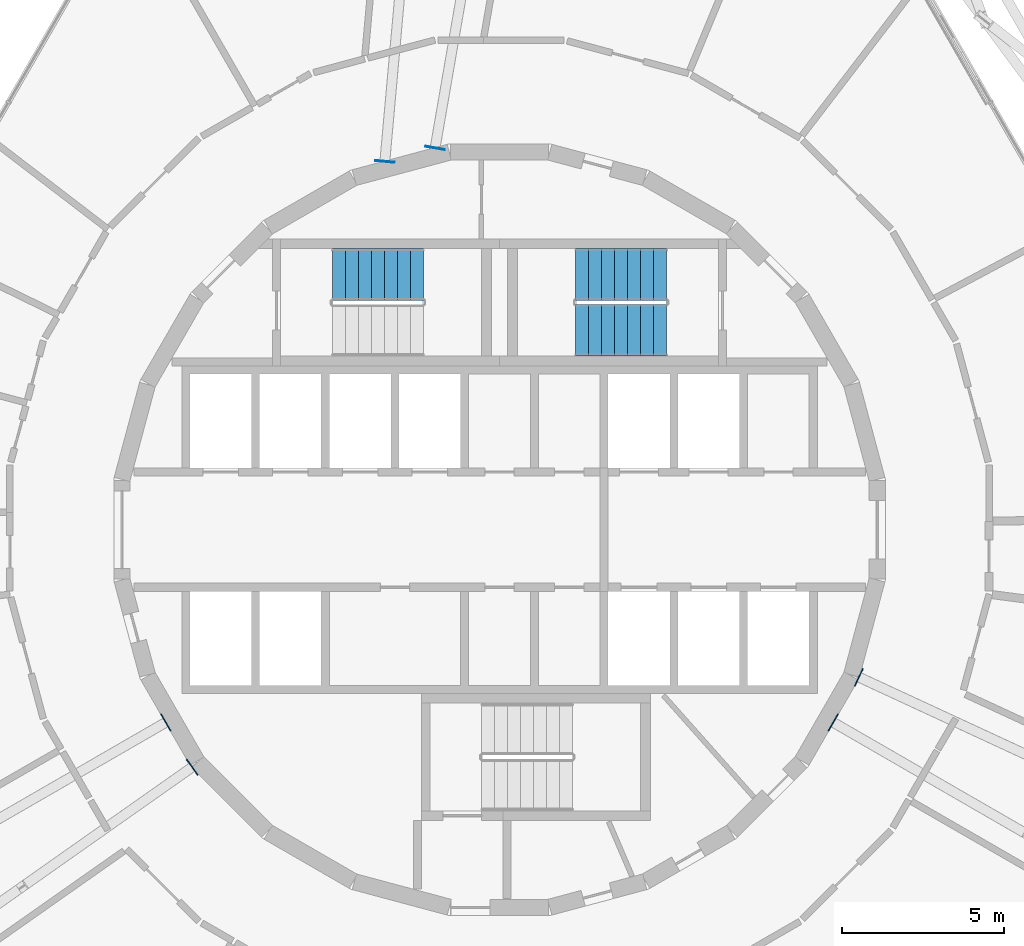
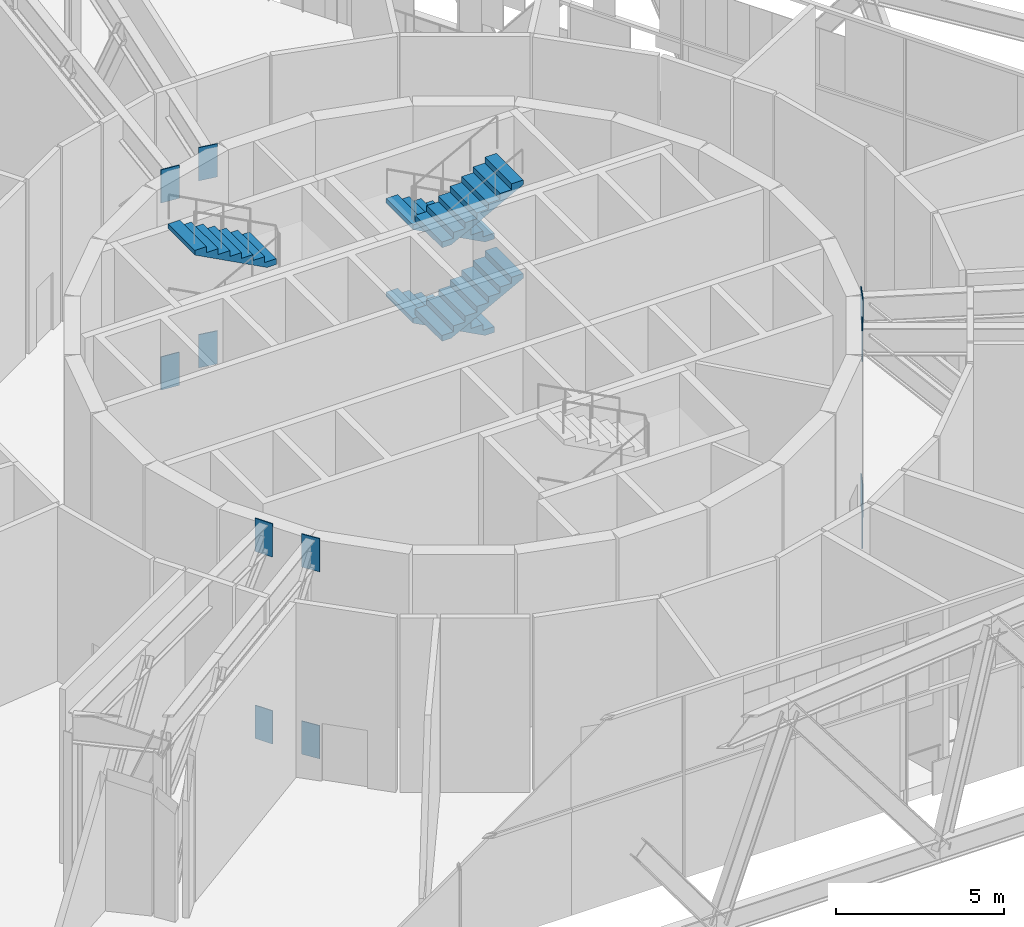
# One storey, part 27 of 29: 12 discrete accessories, 5 stair flights, 2 elements without a shape of their own.
"""IFC4 building model written with IfcOpenShell, lengths in metres."""

from ifc_helpers import new_model, si_unit, direction, frame, origin, origin_2d, place, context, subcontext, project, spatial, polyline, rectangle, outline, extrude, material, layer, layer_set, type_object, element, aggregate, save


model = new_model("IFC4")

# Units and contexts
model_context = context("Model", 3, precision=1e-05, world=origin(), true_north=direction((0.0, 1.0)))
body_context = subcontext(model_context, "Body", "Model", "MODEL_VIEW")
ifc_project = project(units=[si_unit("LENGTHUNIT", "METRE"), si_unit("AREAUNIT", "SQUARE_METRE"), si_unit("VOLUMEUNIT", "CUBIC_METRE"), si_unit("PLANEANGLEUNIT", "RADIAN"), si_unit("MASSUNIT", "GRAM", prefix="KILO")], contexts=[model_context])

# Site, building, storey
site_placement = place(None, origin())
site = spatial("IfcSite", under=ifc_project, at=site_placement, CompositionType="ELEMENT")
building_placement = place(site_placement, origin())
building = spatial("IfcBuilding", under=site, at=building_placement, Name="Spindle Arch Residences", CompositionType="ELEMENT")
storey_placement = place(building_placement, frame((0.0, 0.0, 69.89990234375)))
storey = spatial("IfcBuildingStorey", under=building, at=storey_placement, Name="L16", CompositionType="ELEMENT", Elevation=69.89990234375)

# Stair, stair flights
ifc_material_1 = material(Name="Concrete C50/60", Category="concrete")
stair_type = type_object("IfcStairType", Name="Exit stair 32 risers", PredefinedType="HALF_TURN_STAIR", material=ifc_material_1)
stair_1_placement = place(storey_placement, origin())
stair_1 = element("IfcStair", 1, at=stair_1_placement, inside=storey, type_object=stair_type, Name="L16 Exit stair ST1", PredefinedType="HALF_TURN_STAIR")
ifc_material_2 = material(Name="Concrete C50/60", Category="concrete")
stair_flight_type = type_object("IfcStairFlightType", Name="Exit stair flight", PredefinedType="STRAIGHT", material=ifc_material_2)
stair_flight_1_placement = place(storey_placement, frame((5.14990234375, 7.8701171875, 0.0), z_axis=(0.0, 0.0, 1.0), x_axis=(-1.0, 0.0, 0.0)))
stair_flight_1 = element("IfcStairFlight", 2, at=stair_flight_1_placement, type_object=stair_flight_type, Name="ST1 flight 1", NumberOfRisers=8, NumberOfTreads=7, PredefinedType="STRAIGHT", RiserHeight=0.2125, TreadLength=0.4, context=body_context, shape_type="SweptSolid", body=[
    extrude(outline(polyline([(0.0, 0.0), (0.0, 0.21240234375), (0.39990234375, 0.21240234375), (0.39990234375, 0.425048828125), (0.800048828125, 0.425048828125), (0.800048828125, 0.637451171875), (1.199951171875, 0.637451171875), (1.199951171875, 0.85009765625), (1.60009765625, 0.85009765625), (1.60009765625, 1.0625), (2.0, 1.0625), (2.0, 1.27490234375), (2.39990234375, 1.27490234375), (2.39990234375, 1.487548828125), (2.800048828125, 1.487548828125), (2.800048828125, 1.699951171875), (2.800048828125, 1.31787109375), (0.319580078125, 0.0), (0.0, 0.0)])), frame((0.0, 0.800048828125, 0.0), z_axis=(0.0, -1.0, 0.0), x_axis=(1.0, 0.0, 0.0)), (0.0, 0.0, 1.0), 1.60009765625),
])
stair_flight_2_placement = place(storey_placement, frame((2.35009765625, 6.14990234375, 1.7001953125), z_axis=(0.0, 0.0, 1.0), x_axis=(1.0, 0.0, 0.0)))
stair_flight_2 = element("IfcStairFlight", 3, at=stair_flight_2_placement, type_object=stair_flight_type, Name="ST1 flight 2", NumberOfRisers=8, NumberOfTreads=7, PredefinedType="STRAIGHT", RiserHeight=0.2125, TreadLength=0.4, context=body_context, shape_type="SweptSolid", body=[
    extrude(outline(polyline([(0.0, 0.0), (0.0, 0.21240234375), (0.39990234375, 0.21240234375), (0.39990234375, 0.425048828125), (0.800048828125, 0.425048828125), (0.800048828125, 0.637451171875), (1.199951171875, 0.637451171875), (1.199951171875, 0.85009765625), (1.60009765625, 0.85009765625), (1.60009765625, 1.0625), (2.0, 1.0625), (2.0, 1.27490234375), (2.39990234375, 1.27490234375), (2.39990234375, 1.487548828125), (2.800048828125, 1.487548828125), (2.800048828125, 1.699951171875), (2.800048828125, 1.31787109375), (0.319580078125, 0.0), (0.0, 0.0)])), frame((0.0, 0.800048828125, 0.0), z_axis=(0.0, -1.0, 0.0), x_axis=(1.0, 0.0, 0.0)), (0.0, 0.0, 1.0), 1.60009765625),
])
stair_flight_3_placement = place(storey_placement, frame((5.14990234375, 7.8701171875, 3.400146484375), z_axis=(0.0, 0.0, 1.0), x_axis=(-1.0, 0.0, 0.0)))
stair_flight_3 = element("IfcStairFlight", 4, at=stair_flight_3_placement, type_object=stair_flight_type, Name="ST1 flight 3", NumberOfRisers=8, NumberOfTreads=7, PredefinedType="STRAIGHT", RiserHeight=0.2125, TreadLength=0.4, context=body_context, shape_type="SweptSolid", body=[
    extrude(outline(polyline([(0.0, 0.0), (0.0, 0.21240234375), (0.39990234375, 0.21240234375), (0.39990234375, 0.425048828125), (0.800048828125, 0.425048828125), (0.800048828125, 0.637451171875), (1.199951171875, 0.637451171875), (1.199951171875, 0.85009765625), (1.60009765625, 0.85009765625), (1.60009765625, 1.0625), (2.0, 1.0625), (2.0, 1.27490234375), (2.39990234375, 1.27490234375), (2.39990234375, 1.487548828125), (2.800048828125, 1.487548828125), (2.800048828125, 1.699951171875), (2.800048828125, 1.31787109375), (0.319580078125, 0.0), (0.0, 0.0)])), frame((0.0, 0.800048828125, 0.0), z_axis=(0.0, -1.0, 0.0), x_axis=(1.0, 0.0, 0.0)), (0.0, 0.0, 1.0), 1.60009765625),
])
stair_flight_4_placement = place(storey_placement, frame((2.35009765625, 6.14990234375, 5.10009765625), z_axis=(0.0, 0.0, 1.0), x_axis=(1.0, 0.0, 0.0)))
stair_flight_4 = element("IfcStairFlight", 5, at=stair_flight_4_placement, type_object=stair_flight_type, Name="ST1 flight 4", NumberOfRisers=8, NumberOfTreads=7, PredefinedType="STRAIGHT", RiserHeight=0.2125, TreadLength=0.4, context=body_context, shape_type="SweptSolid", body=[
    extrude(outline(polyline([(0.0, 0.0), (0.0, 0.21240234375), (0.39990234375, 0.21240234375), (0.39990234375, 0.425048828125), (0.800048828125, 0.425048828125), (0.800048828125, 0.637451171875), (1.199951171875, 0.637451171875), (1.199951171875, 0.85009765625), (1.60009765625, 0.85009765625), (1.60009765625, 1.0625), (2.0, 1.0625), (2.0, 1.27490234375), (2.39990234375, 1.27490234375), (2.39990234375, 1.487548828125), (2.800048828125, 1.487548828125), (2.800048828125, 1.699951171875), (2.800048828125, 1.31787109375), (0.319580078125, 0.0), (0.0, 0.0)])), frame((0.0, 0.800048828125, 0.0), z_axis=(0.0, -1.0, 0.0), x_axis=(1.0, 0.0, 0.0)), (0.0, 0.0, 1.0), 1.60009765625),
])
aggregate(stair_1, [stair_flight_1, stair_flight_2, stair_flight_3, stair_flight_4])

# Stair, stair flight
stair_2_placement = place(storey_placement, origin())
stair_2 = element("IfcStair", 6, at=stair_2_placement, inside=storey, type_object=stair_type, Name="L16 Exit stair ST2", PredefinedType="HALF_TURN_STAIR")
stair_flight_5_placement = place(storey_placement, frame((-2.35009765625, 7.8701171875, 5.10009765625), z_axis=(0.0, 0.0, 1.0), x_axis=(-1.0, 0.0, 0.0)))
stair_flight_5 = element("IfcStairFlight", 7, at=stair_flight_5_placement, type_object=stair_flight_type, Name="ST2 flight 4", NumberOfRisers=8, NumberOfTreads=7, PredefinedType="STRAIGHT", RiserHeight=0.2125, TreadLength=0.4, context=body_context, shape_type="SweptSolid", body=[
    extrude(outline(polyline([(0.0, 0.0), (0.0, 0.21240234375), (0.39990234375, 0.21240234375), (0.39990234375, 0.425048828125), (0.800048828125, 0.425048828125), (0.800048828125, 0.637451171875), (1.199951171875, 0.637451171875), (1.199951171875, 0.85009765625), (1.60009765625, 0.85009765625), (1.60009765625, 1.0625), (2.0, 1.0625), (2.0, 1.27490234375), (2.39990234375, 1.27490234375), (2.39990234375, 1.487548828125), (2.800048828125, 1.487548828125), (2.800048828125, 1.699951171875), (2.800048828125, 1.31787109375), (0.319580078125, 0.0), (0.0, 0.0)])), frame((0.0, 0.800048828125, 0.0), z_axis=(0.0, -1.0, 0.0), x_axis=(1.0, 0.0, 0.0)), (0.0, 0.0, 1.0), 1.60009765625),
])
aggregate(stair_2, [stair_flight_5])

# Discrete accessories
ifc_material_3 = material(Name="Steel S355J2, hot-dip galvanised", Category="steel")
ifc_layer = layer(ifc_material_3, 0.030029296875)
ifc_layer_set = layer_set([ifc_layer], Name="Cast-in plate 30x600x1208")
discrete_accessory_type = type_object("IfcDiscreteAccessoryType", Name="Cast-in plate 30x600x1208", PredefinedType="ANCHORPLATE", material=ifc_layer_set)
for number, where, z_axis, x_axis, name in (
    (8, (10.290283203125, -5.941162109375, -1.557861328125), (0.0, 0.0, 1.0), (0.866025403784, -0.5, 0.0), "Cast-in plate"),
    (9, (10.290283203125, -5.941162109375, 5.2421875), (0.0, 0.0, 1.0), (0.866025403784, -0.5, 0.0), "Cast-in plate"),
    (10, (11.0830078125, -4.548095703125, -1.557861328125), (0.0, 0.0, 1.0), (0.907402290158, -0.420263112605, 0.0), "Cast-in plate"),
    (11, (11.0830078125, -4.548095703125, 5.2421875), (0.0, 0.0, 1.0), (0.907402290158, -0.420263112605, 0.0), "Cast-in plate"),
    (12, (-1.98779296875, 11.770263671875, -1.557861328125), (0.0, 0.0, 1.0), (0.170476071425, 0.985361816325, 0.0), "Cast-in plate"),
    (13, (-1.98779296875, 11.770263671875, 5.2421875), (0.0, 0.0, 1.0), (0.170476071425, 0.985361816325, 0.0), "Cast-in plate"),
    (14, (-3.537353515625, 11.3544921875, -1.557861328125), (0.0, 0.0, 1.0), (0.089386258752, 0.995997036515, 0.0), "Cast-in plate"),
    (15, (-3.537353515625, 11.3544921875, 5.2421875), (0.0, 0.0, 1.0), (0.089386258752, 0.995997036515, 0.0), "Cast-in plate"),
    (16, (-10.290283203125, -5.941162109375, -1.557861328125), (0.0, 0.0, 1.0), (-0.866025403784, -0.5, 0.0), "Cast-in plate"),
    (17, (-10.290283203125, -5.941162109375, 5.2421875), (0.0, 0.0, 1.0), (-0.866025403784, -0.5, 0.0), "Cast-in plate"),
    (18, (-9.480224609375, -7.32421875, -1.557861328125), (0.0, 0.0, 1.0), (-0.817659676868, -0.575701878426, 0.0), "Cast-in plate"),
    (19, (-9.480224609375, -7.32421875, 5.2421875), (0.0, 0.0, 1.0), (-0.817659676868, -0.575701878426, 0.0), "Cast-in plate"),
):
    element("IfcDiscreteAccessory", number, at=place(storey_placement, frame(where, z_axis=z_axis, x_axis=x_axis)), inside=storey, type_object=discrete_accessory_type, Name=name, PredefinedType="ANCHORPLATE", context=body_context, shape_type="SweptSolid", body=[
        extrude(rectangle(XDim=0.030029296875, YDim=0.60009765625, at=origin_2d()), origin(), (0.0, 0.0, 1.0), 1.2080078125),
    ])

save(model, "model.ifc")
